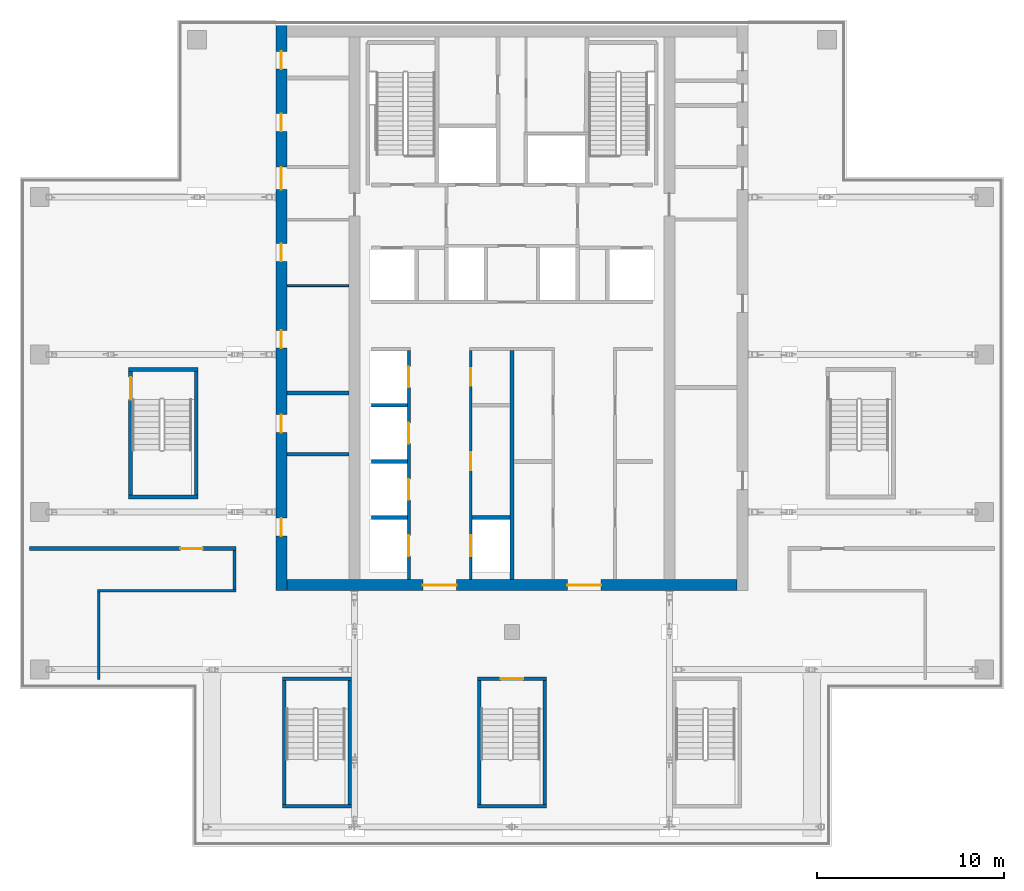
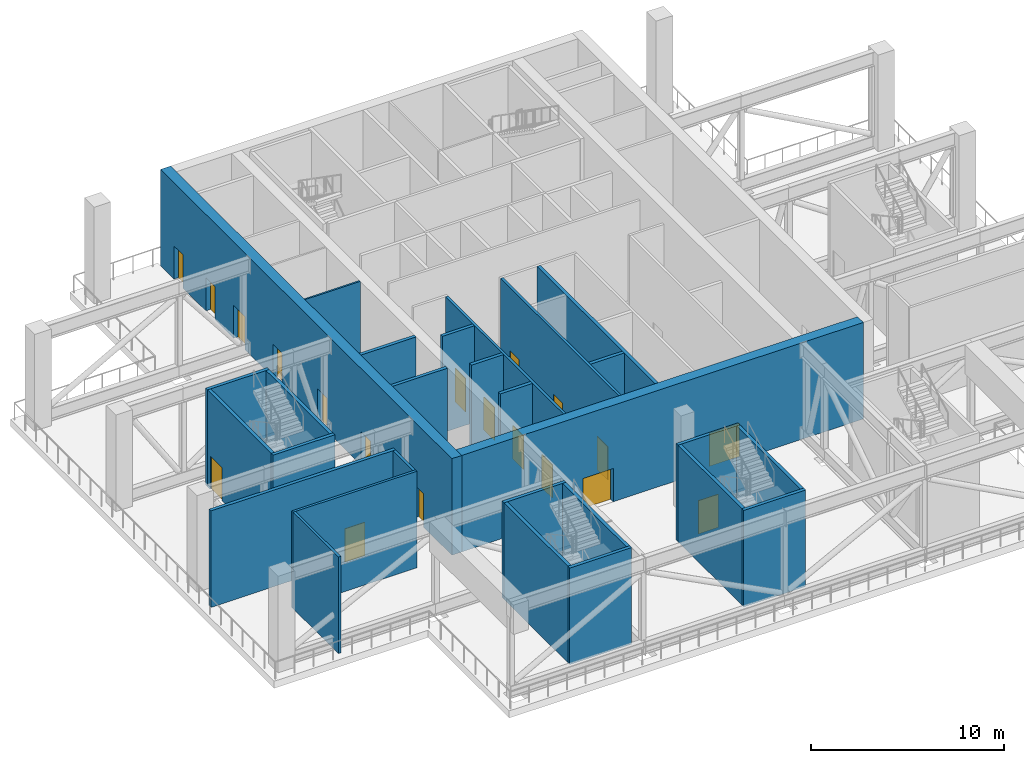
# One storey, part 17 of 24: 28 walls, 19 doors, 19 openings.
"""IFC4 building model written with IfcOpenShell, lengths in metres."""

from ifc_helpers import new_model, si_unit, direction, frame, frame_2d, origin, place, context, subcontext, project, spatial, rectangle, extrude, material, layer, layer_set, type_object, element, fill, save


model = new_model("IFC4")

# Units and contexts
model_context = context("Model", 3, precision=1e-05, world=origin(), true_north=direction((0.0, 1.0)))
body_context = subcontext(model_context, "Body", "Model", "MODEL_VIEW")
ifc_project = project(units=[si_unit("LENGTHUNIT", "METRE"), si_unit("AREAUNIT", "SQUARE_METRE"), si_unit("VOLUMEUNIT", "CUBIC_METRE"), si_unit("PLANEANGLEUNIT", "RADIAN"), si_unit("MASSUNIT", "GRAM", prefix="KILO")], contexts=[model_context])

# Site, building, storey
site_placement = place(None, origin())
site = spatial("IfcSite", under=ifc_project, at=site_placement, CompositionType="ELEMENT")
building_placement = place(site_placement, origin())
building = spatial("IfcBuilding", under=site, at=building_placement, Name="Vermilion Ogive Tower", CompositionType="ELEMENT")
storey_placement = place(building_placement, frame((0.0, 0.0, 216.949951171875)))
storey = spatial("IfcBuildingStorey", under=building, at=storey_placement, Name="L57", CompositionType="ELEMENT", Elevation=216.949951171875)

# Wall, openings, doors
ifc_material_1 = material(Name="Concrete B60", Category="concrete")
ifc_layer_1 = layer(ifc_material_1, 0.60009765625)
ifc_layer_set_1 = layer_set([ifc_layer_1], Name="Core wall 600 B60")
wall_type_1 = type_object("IfcWallType", Name="Core wall 600 B60", PredefinedType="SHEAR", material=ifc_layer_set_1)
wall_1_placement = place(storey_placement, frame((-12.300048828125, -8.39990234375, 0.0), z_axis=(0.0, 0.0, 1.0), x_axis=(0.0, 1.0, 0.0)))
wall_1 = element("IfcWall", 1, at=wall_1_placement, inside=storey, type_object=wall_type_1, Name="L57-CORE-W", PredefinedType="SHEAR", context=body_context, shape_type="SweptSolid", body=[
    extrude(rectangle(XDim=30.14990234375, YDim=0.60009765625, at=frame_2d((15.074951171875, 0.0))), origin(), (0.0, 0.0, 1.0), 6.10009765625),
])
opening_1_placement = place(wall_1_placement, frame((2.91845703125, 0.0, 0.0)))
opening_1 = element("IfcOpeningElement", 2, at=opening_1_placement, cuts=wall_1, Name="Opening DAT007", PredefinedType="OPENING", context=body_context, shape_type="SweptSolid", body=[
    extrude(rectangle(XDim=0.949951171875, YDim=2.10009765625, at=frame_2d((0.47509765625, 1.050048828125))), frame((0.0, 0.31005859375, 0.0), z_axis=(0.0, -1.0, 0.0), x_axis=(1.0, 0.0, 0.0)), (0.0, 0.0, 1.0), 0.6201171875),
])
opening_2_placement = place(wall_1_placement, frame((8.441162109375, 0.0, 0.0)))
opening_2 = element("IfcOpeningElement", 3, at=opening_2_placement, cuts=wall_1, Name="Opening DAT008", PredefinedType="OPENING", context=body_context, shape_type="SweptSolid", body=[
    extrude(rectangle(XDim=0.949951171875, YDim=2.10009765625, at=frame_2d((0.47509765625, 1.050048828125))), frame((0.0, 0.31005859375, 0.0), z_axis=(0.0, -1.0, 0.0), x_axis=(1.0, 0.0, 0.0)), (0.0, 0.0, 1.0), 0.6201171875),
])
opening_3_placement = place(wall_1_placement, frame((12.93798828125, 0.0, 0.0)))
opening_3 = element("IfcOpeningElement", 4, at=opening_3_placement, cuts=wall_1, Name="Opening DAT009", PredefinedType="OPENING", context=body_context, shape_type="SweptSolid", body=[
    extrude(rectangle(XDim=0.949951171875, YDim=2.10009765625, at=frame_2d((0.47509765625, 1.050048828125))), frame((0.0, 0.31005859375, 0.0), z_axis=(0.0, -1.0, 0.0), x_axis=(1.0, 0.0, 0.0)), (0.0, 0.0, 1.0), 0.6201171875),
])
opening_4_placement = place(wall_1_placement, frame((17.565185546875, 0.0, 0.0)))
opening_4 = element("IfcOpeningElement", 5, at=opening_4_placement, cuts=wall_1, Name="Opening DAT010", PredefinedType="OPENING", context=body_context, shape_type="SweptSolid", body=[
    extrude(rectangle(XDim=0.949951171875, YDim=2.10009765625, at=frame_2d((0.47509765625, 1.050048828125))), frame((0.0, 0.31005859375, 0.0), z_axis=(0.0, -1.0, 0.0), x_axis=(1.0, 0.0, 0.0)), (0.0, 0.0, 1.0), 0.6201171875),
])
opening_5_placement = place(wall_1_placement, frame((24.504150390625, 0.0, 0.0)))
opening_5 = element("IfcOpeningElement", 6, at=opening_5_placement, cuts=wall_1, Name="Opening DAT011", PredefinedType="OPENING", context=body_context, shape_type="SweptSolid", body=[
    extrude(rectangle(XDim=0.949951171875, YDim=2.10009765625, at=frame_2d((0.47509765625, 1.050048828125))), frame((0.0, 0.31005859375, 0.0), z_axis=(0.0, -1.0, 0.0), x_axis=(1.0, 0.0, 0.0)), (0.0, 0.0, 1.0), 0.6201171875),
])
opening_6_placement = place(wall_1_placement, frame((27.8291015625, 0.0, 0.0)))
opening_6 = element("IfcOpeningElement", 7, at=opening_6_placement, cuts=wall_1, Name="Opening DAT012", PredefinedType="OPENING", context=body_context, shape_type="SweptSolid", body=[
    extrude(rectangle(XDim=0.949951171875, YDim=2.10009765625, at=frame_2d((0.47509765625, 1.050048828125))), frame((0.0, 0.31005859375, 0.0), z_axis=(0.0, -1.0, 0.0), x_axis=(1.0, 0.0, 0.0)), (0.0, 0.0, 1.0), 0.6201171875),
])
opening_7_placement = place(wall_1_placement, frame((21.39990234375, 0.0, 0.0)))
opening_7 = element("IfcOpeningElement", 8, at=opening_7_placement, cuts=wall_1, Name="Opening DBV002", PredefinedType="OPENING", context=body_context, shape_type="SweptSolid", body=[
    extrude(rectangle(XDim=1.199951171875, YDim=2.10009765625, at=frame_2d((0.60009765625, 1.050048828125))), frame((0.0, 0.31005859375, 0.0), z_axis=(0.0, -1.0, 0.0), x_axis=(1.0, 0.0, 0.0)), (0.0, 0.0, 1.0), 0.6201171875),
])
ifc_material_2 = material(Name="Timber door leaf", Category="wood")
door_type_1 = type_object("IfcDoorType", Name="Link door 1200 x 2100 FD60S", OperationType="SINGLE_SWING_LEFT", PredefinedType="DOOR", material=ifc_material_2)
door_1_placement = place(opening_7_placement, origin())
door_1 = element("IfcDoor", 9, at=door_1_placement, inside=storey, type_object=door_type_1, Name="L57-CKW-XL", OperationType="SINGLE_SWING_LEFT", OverallHeight=2.10009765625, OverallWidth=1.199951171875, PredefinedType="DOOR", context=body_context, shape_type="SweptSolid", body=[
    extrude(rectangle(XDim=1.199951171875, YDim=2.10009765625, at=frame_2d((0.60009765625, 1.050048828125))), frame((0.0, 0.02490234375, 0.0), z_axis=(0.0, -1.0, 0.0), x_axis=(1.0, 0.0, 0.0)), (0.0, 0.0, 1.0), 0.050048828125),
])
fill(opening_7, door_1)
ifc_material_3 = material(Name="Timber door leaf", Category="wood")
door_type_2 = type_object("IfcDoorType", Name="Service door 950 x 2100 FD60", OperationType="SINGLE_SWING_LEFT", PredefinedType="DOOR", material=ifc_material_3)
door_2_placement = place(opening_1_placement, origin())
door_2 = element("IfcDoor", 10, at=door_2_placement, inside=storey, type_object=door_type_2, Name="L57-CKW-XR0", OperationType="SINGLE_SWING_LEFT", OverallHeight=2.10009765625, OverallWidth=0.949951171875, PredefinedType="DOOR", context=body_context, shape_type="SweptSolid", body=[
    extrude(rectangle(XDim=0.949951171875, YDim=2.10009765625, at=frame_2d((0.47509765625, 1.050048828125))), frame((0.0, 0.02490234375, 0.0), z_axis=(0.0, -1.0, 0.0), x_axis=(1.0, 0.0, 0.0)), (0.0, 0.0, 1.0), 0.050048828125),
])
fill(opening_1, door_2)
door_3_placement = place(opening_2_placement, origin())
door_3 = element("IfcDoor", 11, at=door_3_placement, inside=storey, type_object=door_type_2, Name="L57-CKW-XR1", OperationType="SINGLE_SWING_LEFT", OverallHeight=2.10009765625, OverallWidth=0.949951171875, PredefinedType="DOOR", context=body_context, shape_type="SweptSolid", body=[
    extrude(rectangle(XDim=0.949951171875, YDim=2.10009765625, at=frame_2d((0.47509765625, 1.050048828125))), frame((0.0, 0.02490234375, 0.0), z_axis=(0.0, -1.0, 0.0), x_axis=(1.0, 0.0, 0.0)), (0.0, 0.0, 1.0), 0.050048828125),
])
fill(opening_2, door_3)
door_4_placement = place(opening_3_placement, origin())
door_4 = element("IfcDoor", 12, at=door_4_placement, inside=storey, type_object=door_type_2, Name="L57-CKW-XR2", OperationType="SINGLE_SWING_LEFT", OverallHeight=2.10009765625, OverallWidth=0.949951171875, PredefinedType="DOOR", context=body_context, shape_type="SweptSolid", body=[
    extrude(rectangle(XDim=0.949951171875, YDim=2.10009765625, at=frame_2d((0.47509765625, 1.050048828125))), frame((0.0, 0.02490234375, 0.0), z_axis=(0.0, -1.0, 0.0), x_axis=(1.0, 0.0, 0.0)), (0.0, 0.0, 1.0), 0.050048828125),
])
fill(opening_3, door_4)
door_5_placement = place(opening_4_placement, origin())
door_5 = element("IfcDoor", 13, at=door_5_placement, inside=storey, type_object=door_type_2, Name="L57-CKW-XR3", OperationType="SINGLE_SWING_LEFT", OverallHeight=2.10009765625, OverallWidth=0.949951171875, PredefinedType="DOOR", context=body_context, shape_type="SweptSolid", body=[
    extrude(rectangle(XDim=0.949951171875, YDim=2.10009765625, at=frame_2d((0.47509765625, 1.050048828125))), frame((0.0, 0.02490234375, 0.0), z_axis=(0.0, -1.0, 0.0), x_axis=(1.0, 0.0, 0.0)), (0.0, 0.0, 1.0), 0.050048828125),
])
fill(opening_4, door_5)
door_6_placement = place(opening_5_placement, origin())
door_6 = element("IfcDoor", 14, at=door_6_placement, inside=storey, type_object=door_type_2, Name="L57-CKW-XR4", OperationType="SINGLE_SWING_LEFT", OverallHeight=2.10009765625, OverallWidth=0.949951171875, PredefinedType="DOOR", context=body_context, shape_type="SweptSolid", body=[
    extrude(rectangle(XDim=0.949951171875, YDim=2.10009765625, at=frame_2d((0.47509765625, 1.050048828125))), frame((0.0, 0.02490234375, 0.0), z_axis=(0.0, -1.0, 0.0), x_axis=(1.0, 0.0, 0.0)), (0.0, 0.0, 1.0), 0.050048828125),
])
fill(opening_5, door_6)
door_7_placement = place(opening_6_placement, origin())
door_7 = element("IfcDoor", 15, at=door_7_placement, inside=storey, type_object=door_type_2, Name="L57-CKW-XR5", OperationType="SINGLE_SWING_LEFT", OverallHeight=2.10009765625, OverallWidth=0.949951171875, PredefinedType="DOOR", context=body_context, shape_type="SweptSolid", body=[
    extrude(rectangle(XDim=0.949951171875, YDim=2.10009765625, at=frame_2d((0.47509765625, 1.050048828125))), frame((0.0, 0.02490234375, 0.0), z_axis=(0.0, -1.0, 0.0), x_axis=(1.0, 0.0, 0.0)), (0.0, 0.0, 1.0), 0.050048828125),
])
fill(opening_6, door_7)

wall_2_placement = place(storey_placement, frame((-12.0, -8.10009765625, 0.0), z_axis=(0.0, 0.0, 1.0), x_axis=(1.0, 0.0, 0.0)))
wall_2 = element("IfcWall", 16, at=wall_2_placement, inside=storey, type_object=wall_type_1, Name="L57-CORE-S", PredefinedType="SHEAR", context=body_context, shape_type="SweptSolid", body=[
    extrude(rectangle(XDim=24.0, YDim=0.60009765625, at=frame_2d((12.0, 0.0))), origin(), (0.0, 0.0, 1.0), 6.10009765625),
])
opening_8_placement = place(wall_2_placement, frame((7.25, 0.0, 0.0)))
opening_8 = element("IfcOpeningElement", 17, at=opening_8_placement, cuts=wall_2, Name="Opening DBJ003", PredefinedType="OPENING", context=body_context, shape_type="SweptSolid", body=[
    extrude(rectangle(XDim=1.800048828125, YDim=2.10009765625, at=frame_2d((0.89990234375, 1.050048828125))), frame((0.0, 0.31005859375, 0.0), z_axis=(0.0, -1.0, 0.0), x_axis=(1.0, 0.0, 0.0)), (0.0, 0.0, 1.0), 0.6201171875),
])
opening_9_placement = place(wall_2_placement, frame((14.949951171875, 0.0, 0.0)))
opening_9 = element("IfcOpeningElement", 18, at=opening_9_placement, cuts=wall_2, Name="Opening DBJ004", PredefinedType="OPENING", context=body_context, shape_type="SweptSolid", body=[
    extrude(rectangle(XDim=1.800048828125, YDim=2.10009765625, at=frame_2d((0.89990234375, 1.050048828125))), frame((0.0, 0.31005859375, 0.0), z_axis=(0.0, -1.0, 0.0), x_axis=(1.0, 0.0, 0.0)), (0.0, 0.0, 1.0), 0.6201171875),
])
ifc_material_4 = material(Name="Timber door leaf", Category="wood")
door_type_3 = type_object("IfcDoorType", Name="Core entry door 1800 x 2100 FD60S", OperationType="DOUBLE_DOOR_SINGLE_SWING", PredefinedType="DOOR", material=ifc_material_4)
door_8_placement = place(opening_8_placement, origin())
door_8 = element("IfcDoor", 19, at=door_8_placement, inside=storey, type_object=door_type_3, Name="L57-CK-XD1", OperationType="SINGLE_SWING_LEFT", OverallHeight=2.10009765625, OverallWidth=1.800048828125, PredefinedType="DOOR", context=body_context, shape_type="SweptSolid", body=[
    extrude(rectangle(XDim=1.800048828125, YDim=2.10009765625, at=frame_2d((0.89990234375, 1.050048828125))), frame((0.0, 0.02490234375, 0.0), z_axis=(0.0, -1.0, 0.0), x_axis=(1.0, 0.0, 0.0)), (0.0, 0.0, 1.0), 0.050048828125),
])
fill(opening_8, door_8)
door_9_placement = place(opening_9_placement, origin())
door_9 = element("IfcDoor", 20, at=door_9_placement, inside=storey, type_object=door_type_3, Name="L57-CK-XD2", OperationType="SINGLE_SWING_LEFT", OverallHeight=2.10009765625, OverallWidth=1.800048828125, PredefinedType="DOOR", context=body_context, shape_type="SweptSolid", body=[
    extrude(rectangle(XDim=1.800048828125, YDim=2.10009765625, at=frame_2d((0.89990234375, 1.050048828125))), frame((0.0, 0.02490234375, 0.0), z_axis=(0.0, -1.0, 0.0), x_axis=(1.0, 0.0, 0.0)), (0.0, 0.0, 1.0), 0.050048828125),
])
fill(opening_9, door_9)

# Walls
ifc_material_5 = material(Name="Gypsum board partition on steel studs", Category="steel")
ifc_layer_2 = layer(ifc_material_5, 0.10009765625)
ifc_layer_set_2 = layer_set([ifc_layer_2], Name="Partition 100 bath")
wall_type_2 = type_object("IfcWallType", Name="Partition 100 bath", PredefinedType="PARTITIONING", material=ifc_layer_set_2)
wall_3_placement = place(storey_placement, frame((-11.9990234375, 7.881103515625, 0.0), z_axis=(0.0, 0.0, 1.0), x_axis=(1.0, 0.0, 0.0)))
element("IfcWall", 21, at=wall_3_placement, inside=storey, type_object=wall_type_2, Name="L57-CKW-W-W003", PredefinedType="PARTITIONING", context=body_context, shape_type="SweptSolid", body=[
    extrude(rectangle(XDim=3.298095703125, YDim=0.10009765625, at=frame_2d((1.64892578125, 0.0))), origin(), (0.0, 0.0, 1.0), 6.10009765625),
])
ifc_material_6 = material(Name="Gypsum board partition on steel studs", Category="steel")
ifc_layer_3 = layer(ifc_material_6, 0.14990234375)
ifc_layer_set_3 = layer_set([ifc_layer_3], Name="Partition 150 corridor")
wall_type_3 = type_object("IfcWallType", Name="Partition 150 corridor", PredefinedType="PARTITIONING", material=ifc_layer_set_3)
wall_4_placement = place(storey_placement, frame((-22.125, -8.39990234375, 0.0), z_axis=(0.0, 0.0, 1.0), x_axis=(1.0, 0.0, 0.0)))
element("IfcWall", 22, at=wall_4_placement, inside=storey, type_object=wall_type_3, Name="L57-FS-W-W001", PredefinedType="PARTITIONING", context=body_context, shape_type="SweptSolid", body=[
    extrude(rectangle(XDim=7.39990234375, YDim=0.14990234375, at=frame_2d((3.699951171875, 0.0))), origin(), (0.0, 0.0, 1.0), 6.10009765625),
])
wall_5_placement = place(storey_placement, frame((-22.050048828125, -13.14990234375, 0.0), z_axis=(0.0, 0.0, 1.0), x_axis=(0.0, 1.0, 0.0)))
element("IfcWall", 23, at=wall_5_placement, inside=storey, type_object=wall_type_3, Name="L57-FS-W-W005", PredefinedType="PARTITIONING", context=body_context, shape_type="SweptSolid", body=[
    extrude(rectangle(XDim=4.6748046875, YDim=0.14990234375, at=frame_2d((2.33740234375, 0.0))), origin(), (0.0, 0.0, 1.0), 6.10009765625),
])
wall_6_placement = place(storey_placement, frame((-14.800048828125, -8.324951171875, 0.0), z_axis=(0.0, 0.0, 1.0), x_axis=(0.0, 1.0, 0.0)))
element("IfcWall", 24, at=wall_6_placement, inside=storey, type_object=wall_type_3, Name="L57-FS-W-W006", PredefinedType="PARTITIONING", context=body_context, shape_type="SweptSolid", body=[
    extrude(rectangle(XDim=2.074951171875, YDim=0.14990234375, at=frame_2d((1.03759765625, 0.0))), origin(), (0.0, 0.0, 1.0), 6.10009765625),
])

# Wall, openings, doors
wall_7_placement = place(storey_placement, frame((-5.5, -7.799072265625, 0.0), z_axis=(0.0, 0.0, 1.0), x_axis=(0.0, 1.0, 0.0)))
wall_7 = element("IfcWall", 25, at=wall_7_placement, inside=storey, type_object=wall_type_3, Name="L57-CK-W-W020", PredefinedType="PARTITIONING", context=body_context, shape_type="SweptSolid", body=[
    extrude(rectangle(XDim=12.22412109375, YDim=0.14990234375, at=frame_2d((6.112060546875, 0.0))), origin(), (0.0, 0.0, 1.0), 6.10009765625),
])
opening_10_placement = place(wall_7_placement, frame((1.2490234375, 0.0, 0.0)))
opening_10 = element("IfcOpeningElement", 26, at=opening_10_placement, cuts=wall_7, Name="Opening DAI040", PredefinedType="OPENING", context=body_context, shape_type="SweptSolid", body=[
    extrude(rectangle(XDim=1.10009765625, YDim=2.10009765625, at=frame_2d((0.550048828125, 1.050048828125))), frame((0.0, 0.0849609375, 0.0), z_axis=(0.0, -1.0, 0.0), x_axis=(1.0, 0.0, 0.0)), (0.0, 0.0, 1.0), 0.169921875),
])
opening_11_placement = place(wall_7_placement, frame((4.2490234375, 0.0, 0.0)))
opening_11 = element("IfcOpeningElement", 27, at=opening_11_placement, cuts=wall_7, Name="Opening DAI041", PredefinedType="OPENING", context=body_context, shape_type="SweptSolid", body=[
    extrude(rectangle(XDim=1.10009765625, YDim=2.10009765625, at=frame_2d((0.550048828125, 1.050048828125))), frame((0.0, 0.0849609375, 0.0), z_axis=(0.0, -1.0, 0.0), x_axis=(1.0, 0.0, 0.0)), (0.0, 0.0, 1.0), 0.169921875),
])
opening_12_placement = place(wall_7_placement, frame((7.2490234375, 0.0, 0.0)))
opening_12 = element("IfcOpeningElement", 28, at=opening_12_placement, cuts=wall_7, Name="Opening DAI042", PredefinedType="OPENING", context=body_context, shape_type="SweptSolid", body=[
    extrude(rectangle(XDim=1.10009765625, YDim=2.10009765625, at=frame_2d((0.550048828125, 1.050048828125))), frame((0.0, 0.0849609375, 0.0), z_axis=(0.0, -1.0, 0.0), x_axis=(1.0, 0.0, 0.0)), (0.0, 0.0, 1.0), 0.169921875),
])
opening_13_placement = place(wall_7_placement, frame((10.2490234375, 0.0, 0.0)))
opening_13 = element("IfcOpeningElement", 29, at=opening_13_placement, cuts=wall_7, Name="Opening DAI043", PredefinedType="OPENING", context=body_context, shape_type="SweptSolid", body=[
    extrude(rectangle(XDim=1.10009765625, YDim=2.10009765625, at=frame_2d((0.550048828125, 1.050048828125))), frame((0.0, 0.0849609375, 0.0), z_axis=(0.0, -1.0, 0.0), x_axis=(1.0, 0.0, 0.0)), (0.0, 0.0, 1.0), 0.169921875),
])
ifc_material_7 = material(Name="Stainless steel", Category="steel")
door_type_4 = type_object("IfcDoorType", Name="Lift landing door 1100 x 2100", OperationType="SLIDING_TO_LEFT", PredefinedType="DOOR", material=ifc_material_7)
door_10_placement = place(opening_10_placement, origin())
door_10 = element("IfcDoor", 30, at=door_10_placement, inside=storey, type_object=door_type_4, Name="L57-CK-D-D001", OperationType="SLIDING_TO_LEFT", OverallHeight=2.10009765625, OverallWidth=1.10009765625, PredefinedType="DOOR", context=body_context, shape_type="SweptSolid", body=[
    extrude(rectangle(XDim=1.10009765625, YDim=2.10009765625, at=frame_2d((0.550048828125, 1.050048828125))), frame((0.0, 0.02490234375, 0.0), z_axis=(0.0, -1.0, 0.0), x_axis=(1.0, 0.0, 0.0)), (0.0, 0.0, 1.0), 0.050048828125),
])
fill(opening_10, door_10)
door_11_placement = place(opening_11_placement, origin())
door_11 = element("IfcDoor", 31, at=door_11_placement, inside=storey, type_object=door_type_4, Name="L57-CK-D-D002", OperationType="SLIDING_TO_LEFT", OverallHeight=2.10009765625, OverallWidth=1.10009765625, PredefinedType="DOOR", context=body_context, shape_type="SweptSolid", body=[
    extrude(rectangle(XDim=1.10009765625, YDim=2.10009765625, at=frame_2d((0.550048828125, 1.050048828125))), frame((0.0, 0.02490234375, 0.0), z_axis=(0.0, -1.0, 0.0), x_axis=(1.0, 0.0, 0.0)), (0.0, 0.0, 1.0), 0.050048828125),
])
fill(opening_11, door_11)
door_12_placement = place(opening_12_placement, origin())
door_12 = element("IfcDoor", 32, at=door_12_placement, inside=storey, type_object=door_type_4, Name="L57-CK-D-D003", OperationType="SLIDING_TO_LEFT", OverallHeight=2.10009765625, OverallWidth=1.10009765625, PredefinedType="DOOR", context=body_context, shape_type="SweptSolid", body=[
    extrude(rectangle(XDim=1.10009765625, YDim=2.10009765625, at=frame_2d((0.550048828125, 1.050048828125))), frame((0.0, 0.02490234375, 0.0), z_axis=(0.0, -1.0, 0.0), x_axis=(1.0, 0.0, 0.0)), (0.0, 0.0, 1.0), 0.050048828125),
])
fill(opening_12, door_12)
door_13_placement = place(opening_13_placement, origin())
door_13 = element("IfcDoor", 33, at=door_13_placement, inside=storey, type_object=door_type_4, Name="L57-CK-D-D004", OperationType="SLIDING_TO_LEFT", OverallHeight=2.10009765625, OverallWidth=1.10009765625, PredefinedType="DOOR", context=body_context, shape_type="SweptSolid", body=[
    extrude(rectangle(XDim=1.10009765625, YDim=2.10009765625, at=frame_2d((0.550048828125, 1.050048828125))), frame((0.0, 0.02490234375, 0.0), z_axis=(0.0, -1.0, 0.0), x_axis=(1.0, 0.0, 0.0)), (0.0, 0.0, 1.0), 0.050048828125),
])
fill(opening_13, door_13)

wall_8_placement = place(storey_placement, frame((-2.199951171875, -7.799072265625, 0.0), z_axis=(0.0, 0.0, 1.0), x_axis=(0.0, 1.0, 0.0)))
wall_8 = element("IfcWall", 34, at=wall_8_placement, inside=storey, type_object=wall_type_3, Name="L57-CK-W-W025", PredefinedType="PARTITIONING", context=body_context, shape_type="SweptSolid", body=[
    extrude(rectangle(XDim=12.22412109375, YDim=0.14990234375, at=frame_2d((6.112060546875, 0.0))), origin(), (0.0, 0.0, 1.0), 6.10009765625),
])
opening_14_placement = place(wall_8_placement, frame((1.2490234375, 0.0, 0.0)))
opening_14 = element("IfcOpeningElement", 35, at=opening_14_placement, cuts=wall_8, Name="Opening DAI044", PredefinedType="OPENING", context=body_context, shape_type="SweptSolid", body=[
    extrude(rectangle(XDim=1.10009765625, YDim=2.10009765625, at=frame_2d((0.550048828125, 1.050048828125))), frame((0.0, 0.0849609375, 0.0), z_axis=(0.0, -1.0, 0.0), x_axis=(1.0, 0.0, 0.0)), (0.0, 0.0, 1.0), 0.169921875),
])
opening_15_placement = place(wall_8_placement, frame((5.823974609375, 0.0, 0.0)))
opening_15 = element("IfcOpeningElement", 36, at=opening_15_placement, cuts=wall_8, Name="Opening DAI030", PredefinedType="OPENING", context=body_context, shape_type="SweptSolid", body=[
    extrude(rectangle(XDim=0.949951171875, YDim=2.10009765625, at=frame_2d((0.47509765625, 1.050048828125))), frame((0.0, 0.0849609375, 0.0), z_axis=(0.0, -1.0, 0.0), x_axis=(1.0, 0.0, 0.0)), (0.0, 0.0, 1.0), 0.169921875),
])
opening_16_placement = place(wall_8_placement, frame((10.323974609375, 0.0, 0.0)))
opening_16 = element("IfcOpeningElement", 37, at=opening_16_placement, cuts=wall_8, Name="Opening DAI031", PredefinedType="OPENING", context=body_context, shape_type="SweptSolid", body=[
    extrude(rectangle(XDim=0.949951171875, YDim=2.10009765625, at=frame_2d((0.47509765625, 1.050048828125))), frame((0.0, 0.0849609375, 0.0), z_axis=(0.0, -1.0, 0.0), x_axis=(1.0, 0.0, 0.0)), (0.0, 0.0, 1.0), 0.169921875),
])
door_14_placement = place(opening_14_placement, origin())
door_14 = element("IfcDoor", 38, at=door_14_placement, inside=storey, type_object=door_type_4, Name="L57-CK-D-D005", OperationType="SLIDING_TO_LEFT", OverallHeight=2.10009765625, OverallWidth=1.10009765625, PredefinedType="DOOR", context=body_context, shape_type="SweptSolid", body=[
    extrude(rectangle(XDim=1.10009765625, YDim=2.10009765625, at=frame_2d((0.550048828125, 1.050048828125))), frame((0.0, 0.02490234375, 0.0), z_axis=(0.0, -1.0, 0.0), x_axis=(1.0, 0.0, 0.0)), (0.0, 0.0, 1.0), 0.050048828125),
])
fill(opening_14, door_14)
door_15_placement = place(opening_15_placement, origin())
door_15 = element("IfcDoor", 39, at=door_15_placement, inside=storey, type_object=door_type_2, Name="L57-CK-D-D006", OperationType="SINGLE_SWING_LEFT", OverallHeight=2.10009765625, OverallWidth=0.949951171875, PredefinedType="DOOR", context=body_context, shape_type="SweptSolid", body=[
    extrude(rectangle(XDim=0.949951171875, YDim=2.10009765625, at=frame_2d((0.47509765625, 1.050048828125))), frame((0.0, 0.02490234375, 0.0), z_axis=(0.0, -1.0, 0.0), x_axis=(1.0, 0.0, 0.0)), (0.0, 0.0, 1.0), 0.050048828125),
])
fill(opening_15, door_15)
door_16_placement = place(opening_16_placement, origin())
door_16 = element("IfcDoor", 40, at=door_16_placement, inside=storey, type_object=door_type_2, Name="L57-CK-D-D007", OperationType="SINGLE_SWING_RIGHT", OverallHeight=2.10009765625, OverallWidth=0.949951171875, PredefinedType="DOOR", context=body_context, shape_type="SweptSolid", body=[
    extrude(rectangle(XDim=0.949951171875, YDim=2.10009765625, at=frame_2d((0.47509765625, 1.050048828125))), frame((0.0, 0.02490234375, 0.0), z_axis=(0.0, -1.0, 0.0), x_axis=(1.0, 0.0, 0.0)), (0.0, 0.0, 1.0), 0.050048828125),
])
fill(opening_16, door_16)

# Wall, opening, door
ifc_material_8 = material(Name="Gypsum board partition on steel studs", Category="steel")
ifc_layer_4 = layer(ifc_material_8, 0.199951171875)
ifc_layer_set_4 = layer_set([ifc_layer_4], Name="Partition 200 party")
wall_type_4 = type_object("IfcWallType", Name="Partition 200 party", PredefinedType="PARTITIONING", material=ifc_layer_set_4)
wall_9_placement = place(storey_placement, frame((-25.75, -6.14990234375, 0.0), z_axis=(0.0, 0.0, 1.0), x_axis=(1.0, 0.0, 0.0)))
wall_9 = element("IfcWall", 41, at=wall_9_placement, inside=storey, type_object=wall_type_4, Name="L57-FS-W-W003", PredefinedType="PARTITIONING", context=body_context, shape_type="SweptSolid", body=[
    extrude(rectangle(XDim=11.02490234375, YDim=0.199951171875, at=frame_2d((5.512451171875, 0.0))), origin(), (0.0, 0.0, 1.0), 6.10009765625),
])
opening_17_placement = place(wall_9_placement, frame((8.050048828125, 0.0, 0.0)))
opening_17 = element("IfcOpeningElement", 42, at=opening_17_placement, cuts=wall_9, Name="Opening L57S001", PredefinedType="OPENING", context=body_context, shape_type="SweptSolid", body=[
    extrude(rectangle(XDim=1.199951171875, YDim=2.10009765625, at=frame_2d((0.60009765625, 1.050048828125))), frame((0.0, 0.10986328125, 0.0), z_axis=(0.0, -1.0, 0.0), x_axis=(1.0, 0.0, 0.0)), (0.0, 0.0, 1.0), 0.219970703125),
])
ifc_material_9 = material(Name="Timber door leaf", Category="wood")
door_type_5 = type_object("IfcDoorType", Name="Fire door 1200 x 2100 FD30", OperationType="SINGLE_SWING_LEFT", PredefinedType="DOOR", material=ifc_material_9)
door_17_placement = place(opening_17_placement, origin())
door_17 = element("IfcDoor", 43, at=door_17_placement, inside=storey, type_object=door_type_5, Name="L57-FS-D-D001", OperationType="SINGLE_SWING_RIGHT", OverallHeight=2.10009765625, OverallWidth=1.199951171875, PredefinedType="DOOR", context=body_context, shape_type="SweptSolid", body=[
    extrude(rectangle(XDim=1.199951171875, YDim=2.10009765625, at=frame_2d((0.60009765625, 1.050048828125))), frame((0.0, 0.02490234375, 0.0), z_axis=(0.0, -1.0, 0.0), x_axis=(1.0, 0.0, 0.0)), (0.0, 0.0, 1.0), 0.050048828125),
])
fill(opening_17, door_17)

# Walls
wall_10_placement = place(storey_placement, frame((-7.5, -4.5, 0.0), z_axis=(0.0, 0.0, 1.0), x_axis=(1.0, 0.0, 0.0)))
element("IfcWall", 44, at=wall_10_placement, inside=storey, type_object=wall_type_4, Name="L57-CK-W-W001", PredefinedType="PARTITIONING", context=body_context, shape_type="SweptSolid", body=[
    extrude(rectangle(XDim=1.925048828125, YDim=0.199951171875, at=frame_2d((0.96240234375, 0.0))), origin(), (0.0, 0.0, 1.0), 6.10009765625),
])
wall_11_placement = place(storey_placement, frame((-2.125, -4.5, 0.0), z_axis=(0.0, 0.0, 1.0), x_axis=(1.0, 0.0, 0.0)))
element("IfcWall", 45, at=wall_11_placement, inside=storey, type_object=wall_type_4, Name="L57-CK-W-W002", PredefinedType="PARTITIONING", context=body_context, shape_type="SweptSolid", body=[
    extrude(rectangle(XDim=2.02490234375, YDim=0.199951171875, at=frame_2d((1.012451171875, 0.0))), origin(), (0.0, 0.0, 1.0), 6.10009765625),
])
for number, where, z_axis, x_axis, name in (
    (46, (-7.5, -1.5, 0.0), (0.0, 0.0, 1.0), (1.0, 0.0, 0.0), "L57-CK-W-W003"),
    (47, (-7.5, 1.5, 0.0), (0.0, 0.0, 1.0), (1.0, 0.0, 0.0), "L57-CK-W-W006"),
):
    element("IfcWall", number, at=place(storey_placement, frame(where, z_axis=z_axis, x_axis=x_axis)), inside=storey, type_object=wall_type_4, Name=name, PredefinedType="PARTITIONING", context=body_context, shape_type="SweptSolid", body=[
        extrude(rectangle(XDim=1.925048828125, YDim=0.199951171875, at=frame_2d((0.96240234375, 0.0))), origin(), (0.0, 0.0, 1.0), 6.10009765625),
    ])
wall_12_placement = place(storey_placement, frame((0.0, -7.799072265625, 0.0), z_axis=(0.0, 0.0, 1.0), x_axis=(0.0, 1.0, 0.0)))
element("IfcWall", 48, at=wall_12_placement, inside=storey, type_object=wall_type_4, Name="L57-CK-W-W028", PredefinedType="PARTITIONING", context=body_context, shape_type="SweptSolid", body=[
    extrude(rectangle(XDim=12.22412109375, YDim=0.199951171875, at=frame_2d((6.112060546875, 0.0))), origin(), (0.0, 0.0, 1.0), 6.10009765625),
])
for number, where, z_axis, x_axis, name in (
    (49, (-11.9990234375, -1.113037109375, 0.0), (0.0, 0.0, 1.0), (1.0, 0.0, 0.0), "L57-CKW-W-W001"),
    (50, (-11.9990234375, 2.14599609375, 0.0), (0.0, 0.0, 1.0), (1.0, 0.0, 0.0), "L57-CKW-W-W002"),
):
    element("IfcWall", number, at=place(storey_placement, frame(where, z_axis=z_axis, x_axis=x_axis)), inside=storey, type_object=wall_type_4, Name=name, PredefinedType="PARTITIONING", context=body_context, shape_type="SweptSolid", body=[
        extrude(rectangle(XDim=3.298095703125, YDim=0.199951171875, at=frame_2d((1.64892578125, 0.0))), origin(), (0.0, 0.0, 1.0), 6.10009765625),
    ])
ifc_material_10 = material(Name="Concrete B60", Category="concrete")
ifc_layer_5 = layer(ifc_material_10, 0.199951171875)
ifc_layer_set_5 = layer_set([ifc_layer_5], Name="Stair shaft wall 200 Concrete B60")
wall_type_5 = type_object("IfcWallType", Name="Stair shaft wall 200 Concrete B60", PredefinedType="SOLIDWALL", material=ifc_layer_set_5)
for number, where, z_axis, x_axis, name in (
    (51, (-12.25, -19.89990234375, 0.0), (0.0, 0.0, 1.0), (1.0, 0.0, 0.0), "L57-SW-ST3-S1"),
    (52, (-12.25, -13.10009765625, 0.0), (0.0, 0.0, 1.0), (1.0, 0.0, 0.0), "L57-SW-ST3-N1"),
):
    element("IfcWall", number, at=place(storey_placement, frame(where, z_axis=z_axis, x_axis=x_axis)), inside=storey, type_object=wall_type_5, Name=name, PredefinedType="SOLIDWALL", context=body_context, shape_type="SweptSolid", body=[
        extrude(rectangle(XDim=3.699951171875, YDim=0.199951171875, at=frame_2d((1.85009765625, 0.0))), origin(), (0.0, 0.0, 1.0), 6.10009765625),
    ])
for number, where, z_axis, x_axis, name in (
    (53, (-12.14990234375, -19.800048828125, 0.0), (0.0, 0.0, 1.0), (0.0, 1.0, 0.0), "L57-SW-ST3-W1"),
    (54, (-8.64990234375, -19.800048828125, 0.0), (0.0, 0.0, 1.0), (0.0, 1.0, 0.0), "L57-SW-ST3-E1"),
):
    element("IfcWall", number, at=place(storey_placement, frame(where, z_axis=z_axis, x_axis=x_axis)), inside=storey, type_object=wall_type_5, Name=name, PredefinedType="SOLIDWALL", context=body_context, shape_type="SweptSolid", body=[
        extrude(rectangle(XDim=6.60009765625, YDim=0.199951171875, at=frame_2d((3.300048828125, 0.0))), origin(), (0.0, 0.0, 1.0), 6.10009765625),
    ])
wall_13_placement = place(storey_placement, frame((-1.85009765625, -19.89990234375, 0.0), z_axis=(0.0, 0.0, 1.0), x_axis=(1.0, 0.0, 0.0)))
element("IfcWall", 55, at=wall_13_placement, inside=storey, type_object=wall_type_5, Name="L57-SW-ST4-S1", PredefinedType="SOLIDWALL", context=body_context, shape_type="SweptSolid", body=[
    extrude(rectangle(XDim=3.7001953125, YDim=0.199951171875, at=frame_2d((1.85009765625, 0.0))), origin(), (0.0, 0.0, 1.0), 6.10009765625),
])

# Wall, opening, door
wall_14_placement = place(storey_placement, frame((-1.85009765625, -13.10009765625, 0.0), z_axis=(0.0, 0.0, 1.0), x_axis=(1.0, 0.0, 0.0)))
wall_14 = element("IfcWall", 56, at=wall_14_placement, inside=storey, type_object=wall_type_5, Name="L57-SW-ST4-N1", PredefinedType="SOLIDWALL", context=body_context, shape_type="SweptSolid", body=[
    extrude(rectangle(XDim=3.7001953125, YDim=0.199951171875, at=frame_2d((1.85009765625, 0.0))), origin(), (0.0, 0.0, 1.0), 6.10009765625),
])
opening_18_placement = place(wall_14_placement, frame((1.25, 0.0, 0.0)))
opening_18 = element("IfcOpeningElement", 57, at=opening_18_placement, cuts=wall_14, Name="Opening L57-SD4", PredefinedType="OPENING", context=body_context, shape_type="SweptSolid", body=[
    extrude(rectangle(XDim=1.199951171875, YDim=2.10009765625, at=frame_2d((0.60009765625, 1.050048828125))), frame((0.0, 0.10986328125, 0.0), z_axis=(0.0, -1.0, 0.0), x_axis=(1.0, 0.0, 0.0)), (0.0, 0.0, 1.0), 0.219970703125),
])
ifc_material_11 = material(Name="Timber door leaf", Category="wood")
door_type_6 = type_object("IfcDoorType", Name="Stair door 1200 x 2100 FD60S", OperationType="SINGLE_SWING_LEFT", PredefinedType="DOOR", material=ifc_material_11)
door_18_placement = place(opening_18_placement, origin())
door_18 = element("IfcDoor", 58, at=door_18_placement, inside=storey, type_object=door_type_6, Name="Stair door ST4", OperationType="SINGLE_SWING_LEFT", OverallHeight=2.10009765625, OverallWidth=1.199951171875, PredefinedType="DOOR", context=body_context, shape_type="SweptSolid", body=[
    extrude(rectangle(XDim=1.199951171875, YDim=2.10009765625, at=frame_2d((0.60009765625, 1.050048828125))), frame((0.0, 0.02490234375, 0.0), z_axis=(0.0, -1.0, 0.0), x_axis=(1.0, 0.0, 0.0)), (0.0, 0.0, 1.0), 0.050048828125),
])
fill(opening_18, door_18)

# Walls
for number, where, z_axis, x_axis, name in (
    (59, (-1.75, -19.800048828125, 0.0), (0.0, 0.0, 1.0), (0.0, 1.0, 0.0), "L57-SW-ST4-W1"),
    (60, (1.75, -19.800048828125, 0.0), (0.0, 0.0, 1.0), (0.0, 1.0, 0.0), "L57-SW-ST4-E1"),
):
    element("IfcWall", number, at=place(storey_placement, frame(where, z_axis=z_axis, x_axis=x_axis)), inside=storey, type_object=wall_type_5, Name=name, PredefinedType="SOLIDWALL", context=body_context, shape_type="SweptSolid", body=[
        extrude(rectangle(XDim=6.60009765625, YDim=0.199951171875, at=frame_2d((3.300048828125, 0.0))), origin(), (0.0, 0.0, 1.0), 6.10009765625),
    ])
for number, where, z_axis, x_axis, name in (
    (61, (-20.449951171875, -3.39990234375, 0.0), (0.0, 0.0, 1.0), (1.0, 0.0, 0.0), "L57-SW-ST9-S1"),
    (62, (-20.449951171875, 3.39990234375, 0.0), (0.0, 0.0, 1.0), (1.0, 0.0, 0.0), "L57-SW-ST9-N1"),
):
    element("IfcWall", number, at=place(storey_placement, frame(where, z_axis=z_axis, x_axis=x_axis)), inside=storey, type_object=wall_type_5, Name=name, PredefinedType="SOLIDWALL", context=body_context, shape_type="SweptSolid", body=[
        extrude(rectangle(XDim=3.699951171875, YDim=0.199951171875, at=frame_2d((1.85009765625, 0.0))), origin(), (0.0, 0.0, 1.0), 6.10009765625),
    ])

# Wall, opening, door
wall_15_placement = place(storey_placement, frame((-20.35009765625, -3.300048828125, 0.0), z_axis=(0.0, 0.0, 1.0), x_axis=(0.0, 1.0, 0.0)))
wall_15 = element("IfcWall", 63, at=wall_15_placement, inside=storey, type_object=wall_type_5, Name="L57-SW-ST9-W1", PredefinedType="SOLIDWALL", context=body_context, shape_type="SweptSolid", body=[
    extrude(rectangle(XDim=6.60009765625, YDim=0.199951171875, at=frame_2d((3.300048828125, 0.0))), origin(), (0.0, 0.0, 1.0), 6.10009765625),
])
opening_19_placement = place(wall_15_placement, frame((5.10009765625, 0.0, 0.0)))
opening_19 = element("IfcOpeningElement", 64, at=opening_19_placement, cuts=wall_15, Name="Opening DBK004", PredefinedType="OPENING", context=body_context, shape_type="SweptSolid", body=[
    extrude(rectangle(XDim=1.199951171875, YDim=2.10009765625, at=frame_2d((0.60009765625, 1.050048828125))), frame((0.0, 0.10986328125, 0.0), z_axis=(0.0, -1.0, 0.0), x_axis=(1.0, 0.0, 0.0)), (0.0, 0.0, 1.0), 0.219970703125),
])
door_19_placement = place(opening_19_placement, origin())
door_19 = element("IfcDoor", 65, at=door_19_placement, inside=storey, type_object=door_type_6, Name="Stair door ST9", OperationType="SINGLE_SWING_LEFT", OverallHeight=2.10009765625, OverallWidth=1.199951171875, PredefinedType="DOOR", context=body_context, shape_type="SweptSolid", body=[
    extrude(rectangle(XDim=1.199951171875, YDim=2.10009765625, at=frame_2d((0.60009765625, 1.050048828125))), frame((0.0, 0.02490234375, 0.0), z_axis=(0.0, -1.0, 0.0), x_axis=(1.0, 0.0, 0.0)), (0.0, 0.0, 1.0), 0.050048828125),
])
fill(opening_19, door_19)

# Wall
wall_16_placement = place(storey_placement, frame((-16.85009765625, -3.300048828125, 0.0), z_axis=(0.0, 0.0, 1.0), x_axis=(0.0, 1.0, 0.0)))
element("IfcWall", 66, at=wall_16_placement, inside=storey, type_object=wall_type_5, Name="L57-SW-ST9-E1", PredefinedType="SOLIDWALL", context=body_context, shape_type="SweptSolid", body=[
    extrude(rectangle(XDim=6.60009765625, YDim=0.199951171875, at=frame_2d((3.300048828125, 0.0))), origin(), (0.0, 0.0, 1.0), 6.10009765625),
])

save(model, "model.ifc")
